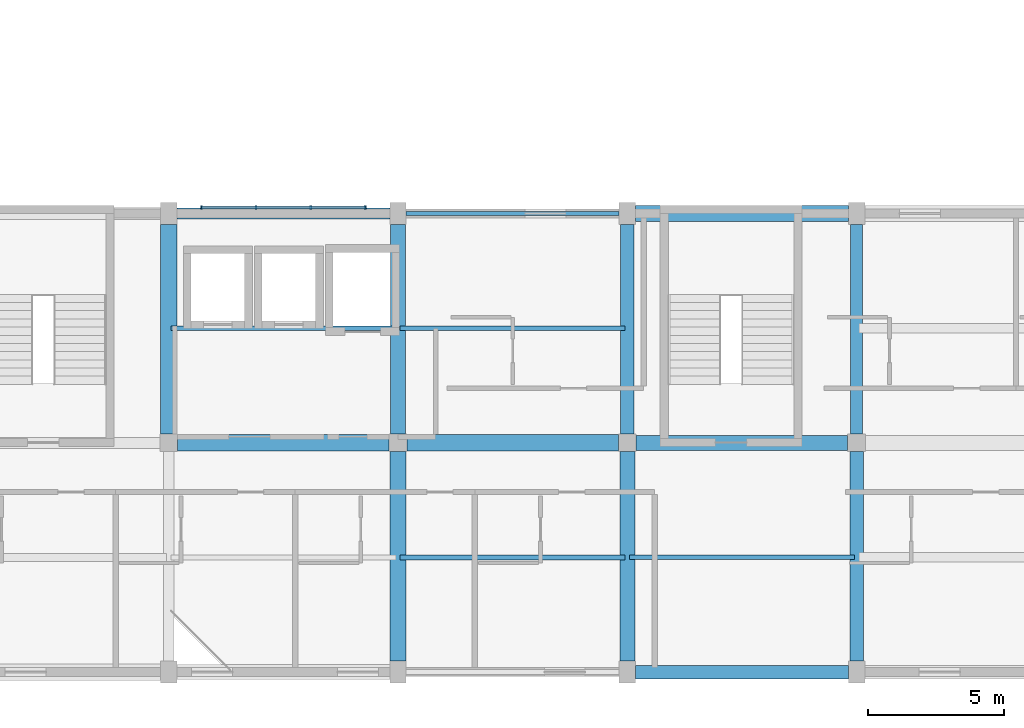
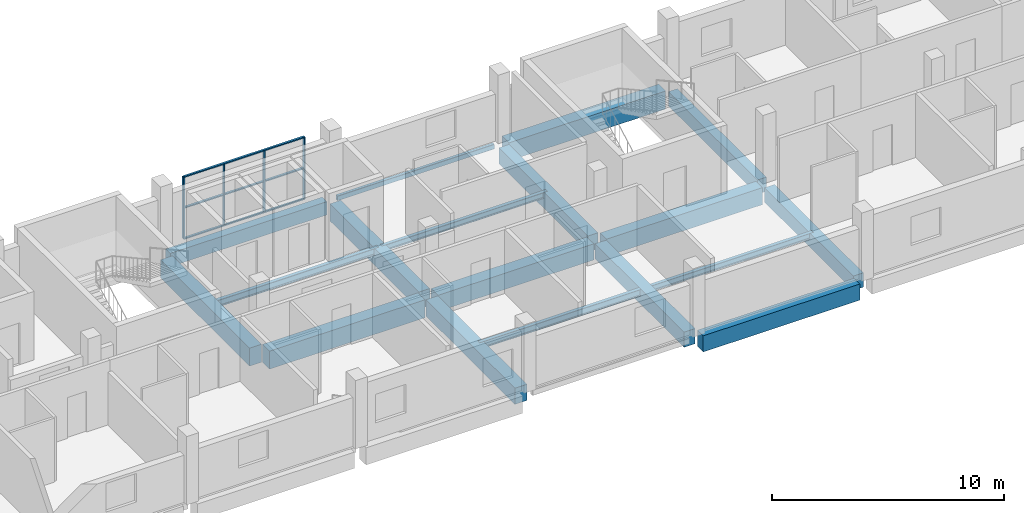
# One storey, part 4 of 26: 18 beams, 7 members, 1 element without a shape of its own.
"""IFC4 building model written with IfcOpenShell, lengths in metres."""

from ifc_helpers import new_model, si_unit, derived_unit, direction, frame, origin, origin_2d, place, context, subcontext, project, spatial, rectangle, hollow_rectangle, i_section, extrude, material, material_profile, profile_set, type_object, element, aggregate, save


model = new_model("IFC4")

# Units and contexts
model_context = context("Model", 3, precision=1e-05, world=origin(), true_north=direction((0.0, 1.0)))
body_context = subcontext(model_context, "Body", "Model", "MODEL_VIEW")
ifc_project = project(units=[si_unit("LENGTHUNIT", "METRE"), si_unit("AREAUNIT", "SQUARE_METRE"), si_unit("VOLUMEUNIT", "CUBIC_METRE"), si_unit("PLANEANGLEUNIT", "RADIAN"), si_unit("MASSUNIT", "GRAM", prefix="KILO"), derived_unit("THERMALTRANSMITTANCEUNIT", [(si_unit("POWERUNIT", "WATT"), 1), (si_unit("LENGTHUNIT", "METRE"), -2), (si_unit("THERMODYNAMICTEMPERATUREUNIT", "KELVIN"), -1)])], contexts=[model_context])

# Site, building, storey
site_placement = place(None, origin())
site = spatial("IfcSite", under=ifc_project, at=site_placement, CompositionType="ELEMENT")
building_placement = place(site_placement, origin())
building = spatial("IfcBuilding", under=site, at=building_placement, Name="Barrovel Congress Hotel", CompositionType="ELEMENT")
storey_placement = place(building_placement, frame((0.0, 0.0, 21.89990234375)))
storey = spatial("IfcBuildingStorey", under=building, at=storey_placement, Name="L05", CompositionType="ELEMENT", Elevation=21.89990234375)

# Beams
ifc_material_1 = material(Name="Concrete C40", Category="concrete")
ifc_material_profile_1 = material_profile(ifc_material_1, rectangle(XDim=0.39990234375, YDim=0.699951171875, at=origin_2d()), Name="RC400x700")
ifc_profile_set_1 = profile_set([ifc_material_profile_1], Name="Concrete C40")
beam_type_1 = type_object("IfcBeamType", Name="BM-RC400x700", PredefinedType="BEAM", material=ifc_profile_set_1)
beam_1_placement = place(storey_placement, frame((84.300048828125, 21.0, -0.56982421875), z_axis=(1.0, 0.0, 0.0), x_axis=(0.0, 1.0, 0.0)))
element("IfcBeam", 1, at=beam_1_placement, inside=storey, type_object=beam_type_1, Name="BMX:L05:21.0:84.0-92.4", PredefinedType="BEAM", context=body_context, shape_type="SweptSolid", body=[
    extrude(rectangle(XDim=0.39990234375, YDim=0.699951171875, at=origin_2d()), origin(), (0.0, 0.0, 1.0), 7.800048828125),
])
ifc_material_profile_2 = material_profile(ifc_material_1, rectangle(XDim=0.449951171875, YDim=0.75, at=origin_2d()), Name="RC450x750")
ifc_profile_set_2 = profile_set([ifc_material_profile_2], Name="Concrete C40")
beam_type_2 = type_object("IfcBeamType", Name="BM-RC450x750", PredefinedType="BEAM", material=ifc_profile_set_2)
beam_2_placement = place(storey_placement, frame((109.199951171875, 12.925048828125, -0.594970703125), z_axis=(0.0, 1.0, 0.0), x_axis=(-1.0, 0.0, 0.0)))
element("IfcBeam", 2, at=beam_2_placement, inside=storey, type_object=beam_type_2, Name="BMY:L05:109.2:12.6-21.0", PredefinedType="BEAM", context=body_context, shape_type="SweptSolid", body=[
    extrude(rectangle(XDim=0.449951171875, YDim=0.75, at=origin_2d()), origin(), (0.0, 0.0, 1.0), 7.675048828125),
])
ifc_material_profile_3 = material_profile(ifc_material_1, rectangle(XDim=0.5, YDim=0.75, at=origin_2d()), Name="RC500x750")
ifc_profile_set_3 = profile_set([ifc_material_profile_3], Name="Concrete C40")
beam_type_3 = type_object("IfcBeamType", Name="BM-RC500x750", PredefinedType="BEAM", material=ifc_profile_set_3)
beam_3_placement = place(storey_placement, frame((109.199951171875, 4.60009765625, -0.594970703125), z_axis=(0.0, 1.0, 0.0), x_axis=(-1.0, 0.0, 0.0)))
element("IfcBeam", 3, at=beam_3_placement, inside=storey, type_object=beam_type_3, Name="BMY:L05:109.2:4.2-12.6", PredefinedType="BEAM", context=body_context, shape_type="SweptSolid", body=[
    extrude(rectangle(XDim=0.5, YDim=0.75, at=origin_2d()), origin(), (0.0, 0.0, 1.0), 7.6748046875),
])
ifc_material_profile_4 = material_profile(ifc_material_1, rectangle(XDim=0.5, YDim=0.85009765625, at=origin_2d()), Name="RC500x850")
ifc_profile_set_4 = profile_set([ifc_material_profile_4], Name="Concrete C40")
beam_type_4 = type_object("IfcBeamType", Name="BM-RC500x850", PredefinedType="BEAM", material=ifc_profile_set_4)
beam_4_placement = place(storey_placement, frame((101.10009765625, 4.199951171875, -0.64501953125), z_axis=(1.0, 0.0, 0.0), x_axis=(0.0, 1.0, 0.0)))
element("IfcBeam", 4, at=beam_4_placement, inside=storey, type_object=beam_type_4, Name="BMX:L05:4.2:100.8-109.2", PredefinedType="BEAM", context=body_context, shape_type="SweptSolid", body=[
    extrude(rectangle(XDim=0.5, YDim=0.85009765625, at=origin_2d()), origin(), (0.0, 0.0, 1.0), 7.7998046875),
])
beam_5_placement = place(storey_placement, frame((100.800048828125, 12.925048828125, -0.64501953125), z_axis=(0.0, 1.0, 0.0), x_axis=(-1.0, 0.0, 0.0)))
element("IfcBeam", 5, at=beam_5_placement, inside=storey, type_object=beam_type_4, Name="BMY:L05:100.8:12.6-21.0", PredefinedType="BEAM", context=body_context, shape_type="SweptSolid", body=[
    extrude(rectangle(XDim=0.5, YDim=0.85009765625, at=origin_2d()), origin(), (0.0, 0.0, 1.0), 7.675048828125),
])
ifc_material_profile_5 = material_profile(ifc_material_1, rectangle(XDim=0.550048828125, YDim=0.800048828125, at=origin_2d()), Name="RC550x800")
ifc_profile_set_5 = profile_set([ifc_material_profile_5], Name="Concrete C40")
beam_type_5 = type_object("IfcBeamType", Name="BM-RC550x800", PredefinedType="BEAM", material=ifc_profile_set_5)
beam_6_placement = place(storey_placement, frame((100.800048828125, 4.60009765625, -0.619873046875), z_axis=(0.0, 1.0, 0.0), x_axis=(-1.0, 0.0, 0.0)))
element("IfcBeam", 6, at=beam_6_placement, inside=storey, type_object=beam_type_5, Name="BMY:L05:100.8:4.2-12.6", PredefinedType="BEAM", context=body_context, shape_type="SweptSolid", body=[
    extrude(rectangle(XDim=0.550048828125, YDim=0.800048828125, at=origin_2d()), origin(), (0.0, 0.0, 1.0), 7.6748046875),
])
ifc_material_profile_6 = material_profile(ifc_material_1, rectangle(XDim=0.550048828125, YDim=0.89990234375, at=origin_2d()), Name="RC550x900")
ifc_profile_set_6 = profile_set([ifc_material_profile_6], Name="Concrete C40")
beam_type_6 = type_object("IfcBeamType", Name="BM-RC550x900", PredefinedType="BEAM", material=ifc_profile_set_6)
beam_7_placement = place(storey_placement, frame((101.125, 12.60009765625, -0.669921875), z_axis=(1.0, 0.0, 0.0), x_axis=(0.0, 1.0, 0.0)))
element("IfcBeam", 7, at=beam_7_placement, inside=storey, type_object=beam_type_6, Name="BMX:L05:12.6:100.8-109.2", PredefinedType="BEAM", context=body_context, shape_type="SweptSolid", body=[
    extrude(rectangle(XDim=0.550048828125, YDim=0.89990234375, at=origin_2d()), origin(), (0.0, 0.0, 1.0), 7.75),
])
beam_8_placement = place(storey_placement, frame((92.39990234375, 12.925048828125, -0.669921875), z_axis=(0.0, 1.0, 0.0), x_axis=(-1.0, 0.0, 0.0)))
element("IfcBeam", 8, at=beam_8_placement, inside=storey, type_object=beam_type_6, Name="BMY:L05:92.4:12.6-21.0", PredefinedType="BEAM", context=body_context, shape_type="SweptSolid", body=[
    extrude(rectangle(XDim=0.550048828125, YDim=0.89990234375, at=origin_2d()), origin(), (0.0, 0.0, 1.0), 7.675048828125),
])
ifc_material_profile_7 = material_profile(ifc_material_1, rectangle(XDim=0.60009765625, YDim=0.85009765625, at=origin_2d()), Name="RC600x850")
ifc_profile_set_7 = profile_set([ifc_material_profile_7], Name="Concrete C40")
beam_type_7 = type_object("IfcBeamType", Name="BM-RC600x850", PredefinedType="BEAM", material=ifc_profile_set_7)
beam_9_placement = place(storey_placement, frame((92.72509765625, 12.60009765625, -0.64501953125), z_axis=(1.0, 0.0, 0.0), x_axis=(0.0, 1.0, 0.0)))
element("IfcBeam", 9, at=beam_9_placement, inside=storey, type_object=beam_type_7, Name="BMX:L05:12.6:92.4-100.8", PredefinedType="BEAM", context=body_context, shape_type="SweptSolid", body=[
    extrude(rectangle(XDim=0.60009765625, YDim=0.85009765625, at=origin_2d()), origin(), (0.0, 0.0, 1.0), 7.75),
])
beam_10_placement = place(storey_placement, frame((92.39990234375, 4.60009765625, -0.64501953125), z_axis=(0.0, 1.0, 0.0), x_axis=(-1.0, 0.0, 0.0)))
element("IfcBeam", 10, at=beam_10_placement, inside=storey, type_object=beam_type_7, Name="BMY:L05:92.4:4.2-12.6", PredefinedType="BEAM", context=body_context, shape_type="SweptSolid", body=[
    extrude(rectangle(XDim=0.60009765625, YDim=0.85009765625, at=origin_2d()), origin(), (0.0, 0.0, 1.0), 7.6748046875),
])
ifc_material_profile_8 = material_profile(ifc_material_1, rectangle(XDim=0.60009765625, YDim=0.949951171875, at=origin_2d()), Name="RC600x950")
ifc_profile_set_8 = profile_set([ifc_material_profile_8], Name="Concrete C40")
beam_type_8 = type_object("IfcBeamType", Name="BM-RC600x950", PredefinedType="BEAM", material=ifc_profile_set_8)
beam_11_placement = place(storey_placement, frame((84.324951171875, 12.60009765625, -0.69482421875), z_axis=(1.0, 0.0, 0.0), x_axis=(0.0, 1.0, 0.0)))
element("IfcBeam", 11, at=beam_11_placement, inside=storey, type_object=beam_type_8, Name="BMX:L05:12.6:84.0-92.4", PredefinedType="BEAM", context=body_context, shape_type="SweptSolid", body=[
    extrude(rectangle(XDim=0.60009765625, YDim=0.949951171875, at=origin_2d()), origin(), (0.0, 0.0, 1.0), 7.75),
])
beam_12_placement = place(storey_placement, frame((101.10009765625, 21.0, -0.69482421875), z_axis=(1.0, 0.0, 0.0), x_axis=(0.0, 1.0, 0.0)))
element("IfcBeam", 12, at=beam_12_placement, inside=storey, type_object=beam_type_8, Name="BMX:L05:21.0:100.8-109.2", PredefinedType="BEAM", context=body_context, shape_type="SweptSolid", body=[
    extrude(rectangle(XDim=0.60009765625, YDim=0.949951171875, at=origin_2d()), origin(), (0.0, 0.0, 1.0), 7.7998046875),
])
beam_13_placement = place(storey_placement, frame((84.0, 12.925048828125, -0.69482421875), z_axis=(0.0, 1.0, 0.0), x_axis=(-1.0, 0.0, 0.0)))
element("IfcBeam", 13, at=beam_13_placement, inside=storey, type_object=beam_type_8, Name="BMY:L05:84.0:12.6-21.0", PredefinedType="BEAM", context=body_context, shape_type="SweptSolid", body=[
    extrude(rectangle(XDim=0.60009765625, YDim=0.949951171875, at=origin_2d()), origin(), (0.0, 0.0, 1.0), 7.675048828125),
])

# Curtain wall, members
ifc_material_2 = material(Name="Anodised Aluminium Alloy 6063-T6", Category="aluminium")
curtain_wall_type = type_object("IfcCurtainWallType", Name="CW-UN-6000x3200", PredefinedType="USERDEFINED", material=ifc_material_2)
curtain_wall_placement = place(storey_placement, origin())
curtain_wall = element("IfcCurtainWall", 14, at=curtain_wall_placement, inside=storey, type_object=curtain_wall_type, Name="CW:L05:UN-4", ObjectType="UNITISED CURTAIN WALL", PredefinedType="USERDEFINED")
ifc_material_profile_9 = material_profile(ifc_material_2, rectangle(XDim=0.06005859375, YDim=0.139892578125, at=origin_2d()), Name="AL-M60x140")
ifc_profile_set_9 = profile_set([ifc_material_profile_9], Name="Anodised Aluminium Alloy 6063-T6")
member_type_1 = type_object("IfcMemberType", Name="CWM-AL-M60x140", PredefinedType="MULLION", material=ifc_profile_set_9)
member_1_placement = place(storey_placement, frame((85.199951171875, 21.219970703125, 0.0), z_axis=(0.0, 0.0, 1.0), x_axis=(1.0, 0.0, 0.0)))
member_1 = element("IfcMember", 15, at=member_1_placement, type_object=member_type_1, Name="CW:L05:UN-4:M0", PredefinedType="MULLION", context=body_context, shape_type="SweptSolid", body=[
    extrude(rectangle(XDim=0.06005859375, YDim=0.139892578125, at=origin_2d()), origin(), (0.0, 0.0, 1.0), 3.25),
])
member_2_placement = place(storey_placement, frame((87.199951171875, 21.219970703125, 0.0), z_axis=(0.0, 0.0, 1.0), x_axis=(1.0, 0.0, 0.0)))
member_2 = element("IfcMember", 16, at=member_2_placement, type_object=member_type_1, Name="CW:L05:UN-4:M1", PredefinedType="MULLION", context=body_context, shape_type="SweptSolid", body=[
    extrude(rectangle(XDim=0.06005859375, YDim=0.139892578125, at=origin_2d()), origin(), (0.0, 0.0, 1.0), 3.25),
])
member_3_placement = place(storey_placement, frame((89.199951171875, 21.219970703125, 0.0), z_axis=(0.0, 0.0, 1.0), x_axis=(1.0, 0.0, 0.0)))
member_3 = element("IfcMember", 17, at=member_3_placement, type_object=member_type_1, Name="CW:L05:UN-4:M2", PredefinedType="MULLION", context=body_context, shape_type="SweptSolid", body=[
    extrude(rectangle(XDim=0.06005859375, YDim=0.139892578125, at=origin_2d()), origin(), (0.0, 0.0, 1.0), 3.25),
])
member_4_placement = place(storey_placement, frame((91.199951171875, 21.219970703125, 0.0), z_axis=(0.0, 0.0, 1.0), x_axis=(1.0, 0.0, 0.0)))
member_4 = element("IfcMember", 18, at=member_4_placement, type_object=member_type_1, Name="CW:L05:UN-4:M3", PredefinedType="MULLION", context=body_context, shape_type="SweptSolid", body=[
    extrude(rectangle(XDim=0.06005859375, YDim=0.139892578125, at=origin_2d()), origin(), (0.0, 0.0, 1.0), 3.25),
])
ifc_material_profile_10 = material_profile(ifc_material_2, rectangle(XDim=0.10498046875, YDim=0.06005859375, at=origin_2d()), Name="AL-T60x105")
ifc_profile_set_10 = profile_set([ifc_material_profile_10], Name="Anodised Aluminium Alloy 6063-T6")
member_type_2 = type_object("IfcMemberType", Name="CWT-AL-T60x105", PredefinedType="USERDEFINED", material=ifc_profile_set_10)
member_5_placement = place(storey_placement, frame((85.199951171875, 21.219970703125, 0.0), z_axis=(1.0, 0.0, 0.0), x_axis=(0.0, 1.0, 0.0)))
member_5 = element("IfcMember", 19, at=member_5_placement, type_object=member_type_2, Name="CW:L05:UN-4:T0", ObjectType="TRANSOM", PredefinedType="USERDEFINED", context=body_context, shape_type="SweptSolid", body=[
    extrude(rectangle(XDim=0.10498046875, YDim=0.06005859375, at=origin_2d()), origin(), (0.0, 0.0, 1.0), 6.0),
])
member_6_placement = place(storey_placement, frame((85.199951171875, 21.219970703125, 1.625), z_axis=(1.0, 0.0, 0.0), x_axis=(0.0, 1.0, 0.0)))
member_6 = element("IfcMember", 20, at=member_6_placement, type_object=member_type_2, Name="CW:L05:UN-4:T1", ObjectType="TRANSOM", PredefinedType="USERDEFINED", context=body_context, shape_type="SweptSolid", body=[
    extrude(rectangle(XDim=0.10498046875, YDim=0.06005859375, at=origin_2d()), origin(), (0.0, 0.0, 1.0), 6.0),
])
member_7_placement = place(storey_placement, frame((85.199951171875, 21.219970703125, 3.25), z_axis=(1.0, 0.0, 0.0), x_axis=(0.0, 1.0, 0.0)))
member_7 = element("IfcMember", 21, at=member_7_placement, type_object=member_type_2, Name="CW:L05:UN-4:T2", ObjectType="TRANSOM", PredefinedType="USERDEFINED", context=body_context, shape_type="SweptSolid", body=[
    extrude(rectangle(XDim=0.10498046875, YDim=0.06005859375, at=origin_2d()), origin(), (0.0, 0.0, 1.0), 6.0),
])
aggregate(curtain_wall, [member_1, member_2, member_3, member_4, member_5, member_6, member_7])

# Beams
ifc_material_3 = material(Name="Steel ASTM A500 Grade C", Category="steel")
ifc_material_profile_11 = material_profile(ifc_material_3, hollow_rectangle(XDim=0.15234375, YDim=0.25390625, WallThickness=0.0087890625, InnerFilletRadius=0.0087890625, OuterFilletRadius=0.017578125, at=origin_2d()), Name="HSS254x152x9.5")
ifc_profile_set_11 = profile_set([ifc_material_profile_11], Name="Steel ASTM A500 Grade C")
beam_type_9 = type_object("IfcBeamType", Name="SBM-HSS254x152x9.5", PredefinedType="SPANDREL", material=ifc_profile_set_11)
beam_14_placement = place(storey_placement, frame((92.699951171875, 21.0, -0.346923828125), z_axis=(1.0, 0.0, 0.0), x_axis=(0.0, 1.0, 0.0)))
element("IfcBeam", 22, at=beam_14_placement, inside=storey, type_object=beam_type_9, Name="BMX:L05:21.0:92.4-100.8", PredefinedType="SPANDREL", context=body_context, shape_type="SweptSolid", body=[
    extrude(hollow_rectangle(XDim=0.15234375, YDim=0.25390625, WallThickness=0.0087890625, InnerFilletRadius=0.0087890625, OuterFilletRadius=0.017578125, at=origin_2d()), origin(), (0.0, 0.0, 1.0), 7.800048828125),
])
ifc_material_4 = material(Name="Steel ASTM A992 Grade 50", Category="steel")
ifc_material_profile_12 = material_profile(ifc_material_4, i_section(OverallWidth=0.1650390625, OverallDepth=0.31005859375, WebThickness=0.005859375, FlangeThickness=0.009765625, FilletRadius=0.010986328125, at=origin_2d()), Name="W310x39")
ifc_profile_set_12 = profile_set([ifc_material_profile_12], Name="Steel ASTM A992 Grade 50")
beam_type_10 = type_object("IfcBeamType", Name="SBM-W310x39", PredefinedType="JOIST", material=ifc_profile_set_12)
beam_15_placement = place(storey_placement, frame((100.8798828125, 8.39990234375, -0.375), z_axis=(1.0, 0.0, 0.0), x_axis=(0.0, 1.0, 0.0)))
element("IfcBeam", 23, at=beam_15_placement, inside=storey, type_object=beam_type_10, Name="JST:L05:100.8:8.4", PredefinedType="JOIST", context=body_context, shape_type="SweptSolid", body=[
    extrude(i_section(OverallWidth=0.1650390625, OverallDepth=0.31005859375, WebThickness=0.005859375, FlangeThickness=0.009765625, FilletRadius=0.010986328125, at=origin_2d()), origin(), (0.0, 0.0, 1.0), 8.240234375),
])
ifc_material_profile_13 = material_profile(ifc_material_4, i_section(OverallWidth=0.1669921875, OverallDepth=0.31689453125, WebThickness=0.007568359375, FlangeThickness=0.01318359375, FilletRadius=0.010986328125, at=origin_2d()), Name="W310x52")
ifc_profile_set_13 = profile_set([ifc_material_profile_13], Name="Steel ASTM A992 Grade 50")
beam_type_11 = type_object("IfcBeamType", Name="SBM-W310x52", PredefinedType="JOIST", material=ifc_profile_set_13)
beam_16_placement = place(storey_placement, frame((92.47998046875, 16.800048828125, -0.37841796875), z_axis=(1.0, 0.0, 0.0), x_axis=(0.0, 1.0, 0.0)))
element("IfcBeam", 24, at=beam_16_placement, inside=storey, type_object=beam_type_11, Name="JST:L05:92.4:16.8", PredefinedType="JOIST", context=body_context, shape_type="SweptSolid", body=[
    extrude(i_section(OverallWidth=0.1669921875, OverallDepth=0.31689453125, WebThickness=0.007568359375, FlangeThickness=0.01318359375, FilletRadius=0.010986328125, at=origin_2d()), origin(), (0.0, 0.0, 1.0), 8.239990234375),
])
ifc_material_profile_14 = material_profile(ifc_material_4, i_section(OverallWidth=0.1708984375, OverallDepth=0.35205078125, WebThickness=0.0068359375, FlangeThickness=0.009765625, FilletRadius=0.011962890625, at=origin_2d()), Name="W360x44")
ifc_profile_set_14 = profile_set([ifc_material_profile_14], Name="Steel ASTM A992 Grade 50")
beam_type_12 = type_object("IfcBeamType", Name="SBM-W360x44", PredefinedType="JOIST", material=ifc_profile_set_14)
beam_17_placement = place(storey_placement, frame((92.47998046875, 8.39990234375, -0.39599609375), z_axis=(1.0, 0.0, 0.0), x_axis=(0.0, 1.0, 0.0)))
element("IfcBeam", 25, at=beam_17_placement, inside=storey, type_object=beam_type_12, Name="JST:L05:92.4:8.4", PredefinedType="JOIST", context=body_context, shape_type="SweptSolid", body=[
    extrude(i_section(OverallWidth=0.1708984375, OverallDepth=0.35205078125, WebThickness=0.0068359375, FlangeThickness=0.009765625, FilletRadius=0.011962890625, at=origin_2d()), origin(), (0.0, 0.0, 1.0), 8.239990234375),
])
ifc_material_profile_15 = material_profile(ifc_material_4, i_section(OverallWidth=0.172119140625, OverallDepth=0.35791015625, WebThickness=0.0078125, FlangeThickness=0.01318359375, FilletRadius=0.011962890625, at=origin_2d()), Name="W360x57")
ifc_profile_set_15 = profile_set([ifc_material_profile_15], Name="Steel ASTM A992 Grade 50")
beam_type_13 = type_object("IfcBeamType", Name="SBM-W360x57", PredefinedType="JOIST", material=ifc_profile_set_15)
beam_18_placement = place(storey_placement, frame((84.080078125, 16.800048828125, -0.39892578125), z_axis=(1.0, 0.0, 0.0), x_axis=(0.0, 1.0, 0.0)))
element("IfcBeam", 26, at=beam_18_placement, inside=storey, type_object=beam_type_13, Name="JST:L05:84.0:16.8", PredefinedType="JOIST", context=body_context, shape_type="SweptSolid", body=[
    extrude(i_section(OverallWidth=0.172119140625, OverallDepth=0.35791015625, WebThickness=0.0078125, FlangeThickness=0.01318359375, FilletRadius=0.011962890625, at=origin_2d()), origin(), (0.0, 0.0, 1.0), 8.239990234375),
])

save(model, "model.ifc")
